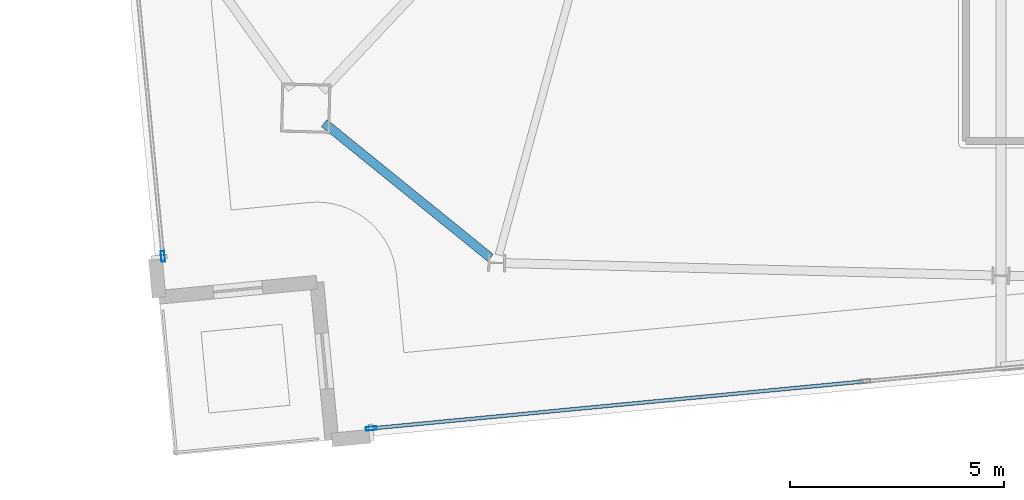
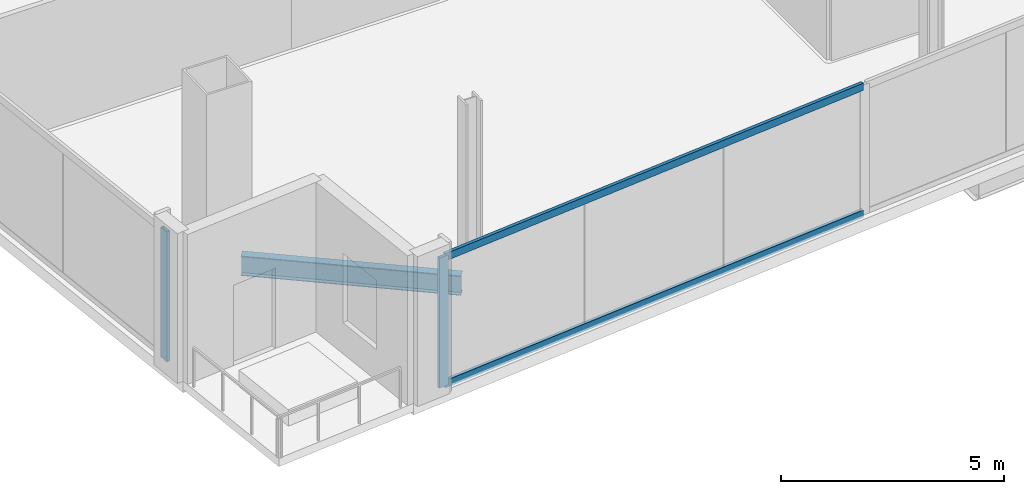
# One storey, part 2 of 24: 4 members, 1 beam, 2 elements without a shape of their own.
"""IFC4 building model written with IfcOpenShell, lengths in metres."""

from ifc_helpers import new_model, si_unit, direction, frame, origin, origin_2d, place, context, subcontext, project, spatial, hollow_rectangle, i_section, extrude, material, material_profile, profile_set, type_object, element, aggregate, save


model = new_model("IFC4")

# Units and contexts
model_context = context("Model", 3, precision=1e-05, world=origin(), true_north=direction((0.0, 1.0)))
body_context = subcontext(model_context, "Body", "Model", "MODEL_VIEW")
ifc_project = project(units=[si_unit("LENGTHUNIT", "METRE"), si_unit("AREAUNIT", "SQUARE_METRE"), si_unit("VOLUMEUNIT", "CUBIC_METRE"), si_unit("PLANEANGLEUNIT", "RADIAN"), si_unit("MASSUNIT", "GRAM", prefix="KILO")], contexts=[model_context])

# Site, building, storey
site_placement = place(None, origin())
site = spatial("IfcSite", under=ifc_project, at=site_placement, CompositionType="ELEMENT")
building_placement = place(site_placement, origin())
building = spatial("IfcBuilding", under=site, at=building_placement, Name="Haldenkirk Collegiate Tower", CompositionType="ELEMENT")
storey_placement = place(building_placement, frame((0.0, 0.0, 347.699951171875)))
storey = spatial("IfcBuildingStorey", under=building, at=storey_placement, Name="L88", CompositionType="ELEMENT", Elevation=347.699951171875)

# Beam
ifc_material_1 = material(Name="Steel ASTM A992 Grade 50", Category="steel")
ifc_material_profile_1 = material_profile(ifc_material_1, i_section(OverallWidth=0.2099609375, OverallDepth=0.537109375, WebThickness=0.010986328125, FlangeThickness=0.017333984375, at=origin_2d()), Name="W21X68")
ifc_profile_set_1 = profile_set([ifc_material_profile_1], Name="Steel ASTM A992 Grade 50")
beam_type = type_object("IfcBeamType", Name="BM-SPANDREL-W21X68", PredefinedType="SPANDREL", material=ifc_profile_set_1)
beam_placement = place(storey_placement, frame((19.767578125, 9.51708984375, -0.58837890625), z_axis=(0.776950131303, -0.629562144247, 0.0), x_axis=(0.629562144247, 0.776950131303, 0.0)))
element("IfcBeam", 1, at=beam_placement, inside=storey, type_object=beam_type, Name="L88 perimeter spandrel beam 13", PredefinedType="SPANDREL", context=body_context, shape_type="SweptSolid", body=[
    extrude(i_section(OverallWidth=0.2099609375, OverallDepth=0.537109375, WebThickness=0.010986328125, FlangeThickness=0.017333984375, at=origin_2d()), origin(), (0.0, 0.0, 1.0), 4.99755859375),
])

# Curtain wall, member
ifc_material_2 = material(Name="Anodised architectural bronze aluminium", Category="aluminium")
curtain_wall_type = type_object("IfcCurtainWallType", Name="CW-SYS1B-CONVEX-HI", PredefinedType="USERDEFINED", material=ifc_material_2)
curtain_wall_1_placement = place(storey_placement, origin())
curtain_wall_1 = element("IfcCurtainWall", 2, at=curtain_wall_1_placement, inside=storey, type_object=curtain_wall_type, Name="L88 Upper tower high-wind convex bronze unitised curtain wall", ObjectType="UNITISED CURTAIN WALL", PredefinedType="USERDEFINED")
ifc_material_profile_2 = material_profile(ifc_material_2, hollow_rectangle(XDim=0.0849609375, YDim=0.25, WallThickness=0.0048828125, at=origin_2d()), Name="CW-MUL-1B")
ifc_profile_set_2 = profile_set([ifc_material_profile_2], Name="Anodised architectural bronze aluminium")
member_type_1 = type_object("IfcMemberType", Name="CW-MUL-1B", PredefinedType="MULLION", material=ifc_profile_set_2)
member_1_placement = place(storey_placement, frame((16.000732421875, 6.404296875, 0.0), z_axis=(0.0, 0.0, 1.0), x_axis=(-0.995479454371, -0.094977133699, 0.0)))
member_1 = element("IfcMember", 3, at=member_1_placement, type_object=member_type_1, Name="CW-1B mullion 1", PredefinedType="MULLION", context=body_context, shape_type="SweptSolid", body=[
    extrude(hollow_rectangle(XDim=0.0849609375, YDim=0.25, WallThickness=0.0048828125, at=origin_2d()), origin(), (0.0, 0.0, 1.0), 3.55810546875),
])
aggregate(curtain_wall_1, [member_1])

# Curtain wall, members
curtain_wall_2_placement = place(storey_placement, origin())
curtain_wall_2 = element("IfcCurtainWall", 4, at=curtain_wall_2_placement, inside=storey, type_object=curtain_wall_type, Name="L88 Upper tower high-wind convex bronze unitised curtain wall", ObjectType="UNITISED CURTAIN WALL", PredefinedType="USERDEFINED")
member_2_placement = place(storey_placement, frame((20.86669921875, 2.385986328125, 0.0), z_axis=(0.0, 0.0, 1.0), x_axis=(0.094973363212, -0.9954798141, 0.0)))
member_2 = element("IfcMember", 5, at=member_2_placement, type_object=member_type_1, Name="CW-1B mullion 4", PredefinedType="MULLION", context=body_context, shape_type="SweptSolid", body=[
    extrude(hollow_rectangle(XDim=0.0849609375, YDim=0.25, WallThickness=0.0048828125, at=origin_2d()), origin(), (0.0, 0.0, 1.0), 3.55810546875),
])
ifc_material_profile_3 = material_profile(ifc_material_2, hollow_rectangle(XDim=0.0849609375, YDim=0.199951171875, WallThickness=0.0048828125, at=origin_2d()), Name="CW-TRN-1B")
ifc_profile_set_3 = profile_set([ifc_material_profile_3], Name="Anodised architectural bronze aluminium")
member_type_2 = type_object("IfcMemberType", Name="CW-TRN-1B", PredefinedType="USERDEFINED", material=ifc_profile_set_3)
member_3_placement = place(storey_placement, frame((32.354736328125, 3.48193359375, 0.04248046875), z_axis=(-0.995481146046, -0.094959401146, 0.0), x_axis=(0.094959401146, -0.995481146046, 0.0)))
member_3 = element("IfcMember", 6, at=member_3_placement, type_object=member_type_2, Name="CW-1B transom 3.1", ObjectType="TRANSOM", PredefinedType="USERDEFINED", context=body_context, shape_type="SweptSolid", body=[
    extrude(hollow_rectangle(XDim=0.0849609375, YDim=0.199951171875, WallThickness=0.0048828125, at=origin_2d()), origin(), (0.0, 0.0, 1.0), 11.49755859375),
])
member_4_placement = place(storey_placement, frame((32.354736328125, 3.48193359375, 3.515625), z_axis=(-0.995481146046, -0.094959401146, 0.0), x_axis=(0.094959401146, -0.995481146046, 0.0)))
member_4 = element("IfcMember", 7, at=member_4_placement, type_object=member_type_2, Name="CW-1B transom 3.2", ObjectType="TRANSOM", PredefinedType="USERDEFINED", context=body_context, shape_type="SweptSolid", body=[
    extrude(hollow_rectangle(XDim=0.0849609375, YDim=0.199951171875, WallThickness=0.0048828125, at=origin_2d()), origin(), (0.0, 0.0, 1.0), 11.49755859375),
])
aggregate(curtain_wall_2, [member_2, member_3, member_4])

save(model, "model.ifc")
